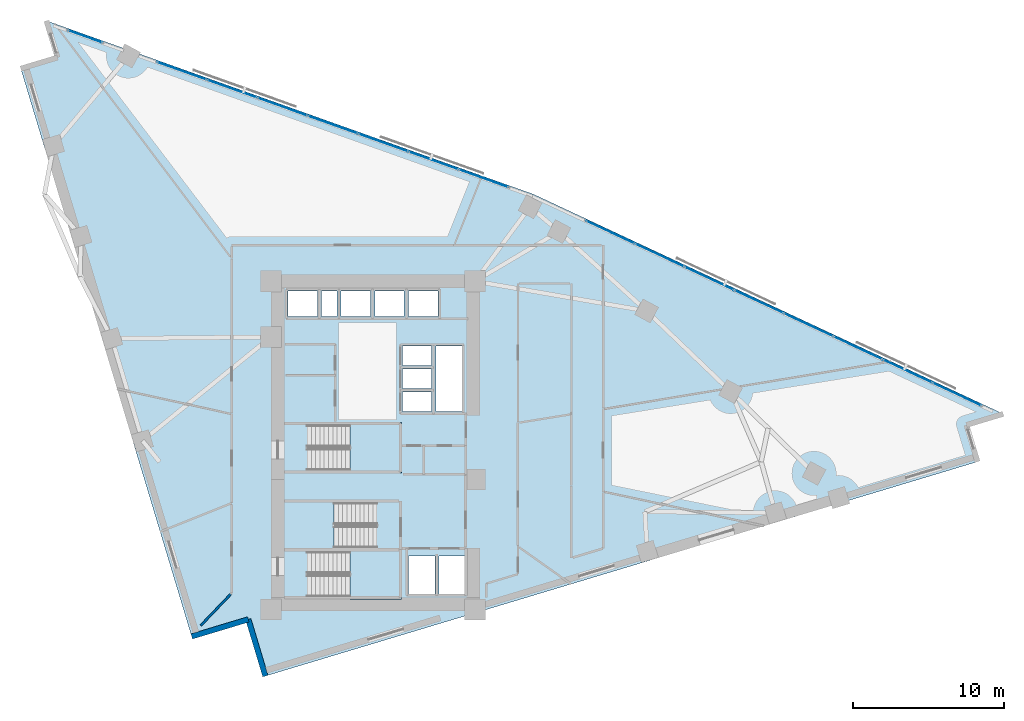
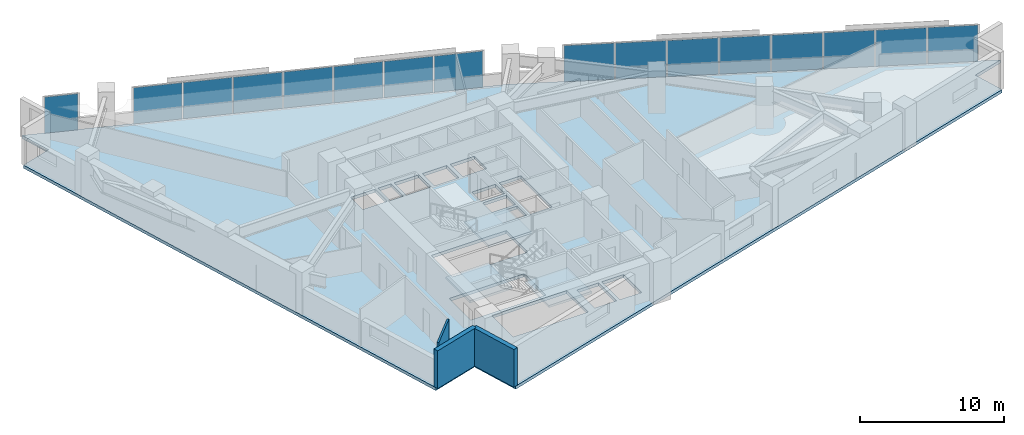
# One storey, part 8 of 14: 16 plates, 4 slabs, 3 walls, 6 elements without a shape of their own.
"""IFC4 building model written with IfcOpenShell, lengths in metres."""

from ifc_helpers import new_model, si_unit, direction, frame, frame_2d, origin, origin_2d, place, context, subcontext, project, spatial, polyline, rectangle, outline, extrude, material, layer, layer_set, type_object, element, aggregate, save


model = new_model("IFC4")

# Units and contexts
model_context = context("Model", 3, precision=1e-05, world=origin(), true_north=direction((0.0, 1.0)))
body_context = subcontext(model_context, "Body", "Model", "MODEL_VIEW")
ifc_project = project(units=[si_unit("LENGTHUNIT", "METRE"), si_unit("AREAUNIT", "SQUARE_METRE"), si_unit("VOLUMEUNIT", "CUBIC_METRE"), si_unit("PLANEANGLEUNIT", "RADIAN"), si_unit("MASSUNIT", "GRAM", prefix="KILO")], contexts=[model_context])

# Site, building, storey
site_placement = place(None, origin())
site = spatial("IfcSite", under=ifc_project, at=site_placement, CompositionType="ELEMENT")
building_placement = place(site_placement, origin())
building = spatial("IfcBuilding", under=site, at=building_placement, Name="Narakoshi Arena Tower", CompositionType="ELEMENT")
storey_placement = place(building_placement, frame((0.0, 0.0, 161.10009765625)))
storey = spatial("IfcBuildingStorey", under=building, at=storey_placement, Name="L43", CompositionType="ELEMENT", Elevation=161.10009765625)

# Curtain wall, plates
ifc_material_1 = material(Name="Anodised bronze aluminium 6063-T6", Category="aluminium")
curtain_wall_type = type_object("IfcCurtainWallType", Name="CW-HYP-MID", PredefinedType="NOTDEFINED", material=ifc_material_1)
curtain_wall_1_placement = place(storey_placement, origin())
curtain_wall_1 = element("IfcCurtainWall", 1, at=curtain_wall_1_placement, inside=storey, type_object=curtain_wall_type, Name="L43 Folded Hypotenuse Curtain Wall 1-1", PredefinedType="NOTDEFINED")
ifc_material_2 = material(Name="Bronze-tinted low-E laminated glass", Category="glass")
ifc_layer_1 = layer(ifc_material_2, 0.0380859375)
ifc_layer_set_1 = layer_set([ifc_layer_1], Name="Bronze-tinted low-E laminated glass")
plate_type = type_object("IfcPlateType", Name="PLT-GLZ-38", PredefinedType="CURTAIN_PANEL", material=ifc_layer_set_1)
plate_1_placement = place(storey_placement, frame((117.545166015625, 49.0, 0.06494140625), z_axis=(0.0, 0.0, 1.0), x_axis=(-0.905881273009, 0.423531721612, 0.0)))
plate_1 = element("IfcPlate", 2, at=plate_1_placement, type_object=plate_type, Name="CW-02 panel 1.1", PredefinedType="CURTAIN_PANEL", context=body_context, shape_type="SweptSolid", body=[
    extrude(rectangle(XDim=3.52099609375, YDim=0.0380859375, at=origin_2d()), origin(), (0.0, 0.0, 1.0), 3.070068359375),
])
plate_2_placement = place(storey_placement, frame((114.270751953125, 50.531005859375, 0.06494140625), z_axis=(0.0, 0.0, 1.0), x_axis=(-0.905881273009, 0.423531721612, 0.0)))
plate_2 = element("IfcPlate", 3, at=plate_2_placement, type_object=plate_type, Name="CW-02 panel 2.1", PredefinedType="CURTAIN_PANEL", context=body_context, shape_type="SweptSolid", body=[
    extrude(rectangle(XDim=3.558349609375, YDim=0.0380859375, at=origin_2d()), origin(), (0.0, 0.0, 1.0), 3.070068359375),
])
plate_3_placement = place(storey_placement, frame((110.979248046875, 52.06982421875, 0.06494140625), z_axis=(0.0, 0.0, 1.0), x_axis=(-0.905881273009, 0.423531721612, 0.0)))
plate_3 = element("IfcPlate", 4, at=plate_3_placement, type_object=plate_type, Name="CW-02 panel 3.1", PredefinedType="CURTAIN_PANEL", context=body_context, shape_type="SweptSolid", body=[
    extrude(rectangle(XDim=3.558349609375, YDim=0.0380859375, at=origin_2d()), origin(), (0.0, 0.0, 1.0), 3.070068359375),
])
plate_4_placement = place(storey_placement, frame((107.687744140625, 53.60888671875, 0.06494140625), z_axis=(0.0, 0.0, 1.0), x_axis=(-0.905881273009, 0.423531721612, 0.0)))
plate_4 = element("IfcPlate", 5, at=plate_4_placement, type_object=plate_type, Name="CW-02 panel 4.1", PredefinedType="CURTAIN_PANEL", context=body_context, shape_type="SweptSolid", body=[
    extrude(rectangle(XDim=3.558349609375, YDim=0.0380859375, at=origin_2d()), origin(), (0.0, 0.0, 1.0), 3.070068359375),
])
plate_5_placement = place(storey_placement, frame((104.396240234375, 55.147705078125, 0.06494140625), z_axis=(0.0, 0.0, 1.0), x_axis=(-0.905881273009, 0.423531721612, 0.0)))
plate_5 = element("IfcPlate", 6, at=plate_5_placement, type_object=plate_type, Name="CW-02 panel 5.1", PredefinedType="CURTAIN_PANEL", context=body_context, shape_type="SweptSolid", body=[
    extrude(rectangle(XDim=3.558349609375, YDim=0.0380859375, at=origin_2d()), origin(), (0.0, 0.0, 1.0), 3.070068359375),
])
plate_6_placement = place(storey_placement, frame((101.104736328125, 56.6865234375, 0.06494140625), z_axis=(0.0, 0.0, 1.0), x_axis=(-0.905881273009, 0.423531721612, 0.0)))
plate_6 = element("IfcPlate", 7, at=plate_6_placement, type_object=plate_type, Name="CW-02 panel 6.1", PredefinedType="CURTAIN_PANEL", context=body_context, shape_type="SweptSolid", body=[
    extrude(rectangle(XDim=3.558349609375, YDim=0.0380859375, at=origin_2d()), origin(), (0.0, 0.0, 1.0), 3.070068359375),
])
plate_7_placement = place(storey_placement, frame((97.813232421875, 58.2255859375, 0.06494140625), z_axis=(0.0, 0.0, 1.0), x_axis=(-0.905881273009, 0.423531721612, 0.0)))
plate_7 = element("IfcPlate", 8, at=plate_7_placement, type_object=plate_type, Name="CW-02 panel 7.1", PredefinedType="CURTAIN_PANEL", context=body_context, shape_type="SweptSolid", body=[
    extrude(rectangle(XDim=3.558349609375, YDim=0.0380859375, at=origin_2d()), origin(), (0.0, 0.0, 1.0), 3.070068359375),
])
plate_8_placement = place(storey_placement, frame((94.538818359375, 59.75634765625, 0.06494140625), z_axis=(0.0, 0.0, 1.0), x_axis=(-0.905881273009, 0.423531721612, 0.0)))
plate_8 = element("IfcPlate", 9, at=plate_8_placement, type_object=plate_type, Name="CW-02 panel 8.1", PredefinedType="CURTAIN_PANEL", context=body_context, shape_type="SweptSolid", body=[
    extrude(rectangle(XDim=3.52099609375, YDim=0.0380859375, at=origin_2d()), origin(), (0.0, 0.0, 1.0), 3.070068359375),
])
aggregate(curtain_wall_1, [plate_1, plate_2, plate_3, plate_4, plate_5, plate_6, plate_7, plate_8])

curtain_wall_2_placement = place(storey_placement, origin())
curtain_wall_2 = element("IfcCurtainWall", 10, at=curtain_wall_2_placement, inside=storey, type_object=curtain_wall_type, Name="L43 Folded Hypotenuse Curtain Wall 2-1", PredefinedType="NOTDEFINED")
plate_9_placement = place(storey_placement, frame((86.125244140625, 63.327880859375, 0.06494140625), z_axis=(0.0, 0.0, 1.0), x_axis=(-0.94203368957, 0.335518297139, 0.0)))
plate_9 = element("IfcPlate", 11, at=plate_9_placement, type_object=plate_type, Name="CW-02 panel 1.1", PredefinedType="CURTAIN_PANEL", context=body_context, shape_type="SweptSolid", body=[
    extrude(rectangle(XDim=3.437744140625, YDim=0.0380859375, at=origin_2d()), origin(), (0.0, 0.0, 1.0), 3.070068359375),
])
plate_10_placement = place(storey_placement, frame((82.79833984375, 64.512939453125, 0.06494140625), z_axis=(0.0, 0.0, 1.0), x_axis=(-0.94203368957, 0.335518297139, 0.0)))
plate_10 = element("IfcPlate", 12, at=plate_10_placement, type_object=plate_type, Name="CW-02 panel 2.1", PredefinedType="CURTAIN_PANEL", context=body_context, shape_type="SweptSolid", body=[
    extrude(rectangle(XDim=3.475341796875, YDim=0.0380859375, at=origin_2d()), origin(), (0.0, 0.0, 1.0), 3.070068359375),
])
plate_11_placement = place(storey_placement, frame((79.453857421875, 65.7041015625, 0.06494140625), z_axis=(0.0, 0.0, 1.0), x_axis=(-0.94203368957, 0.335518297139, 0.0)))
plate_11 = element("IfcPlate", 13, at=plate_11_placement, type_object=plate_type, Name="CW-02 panel 3.1", PredefinedType="CURTAIN_PANEL", context=body_context, shape_type="SweptSolid", body=[
    extrude(rectangle(XDim=3.475341796875, YDim=0.0380859375, at=origin_2d()), origin(), (0.0, 0.0, 1.0), 3.070068359375),
])
plate_12_placement = place(storey_placement, frame((76.109130859375, 66.895263671875, 0.06494140625), z_axis=(0.0, 0.0, 1.0), x_axis=(-0.94203368957, 0.335518297139, 0.0)))
plate_12 = element("IfcPlate", 14, at=plate_12_placement, type_object=plate_type, Name="CW-02 panel 4.1", PredefinedType="CURTAIN_PANEL", context=body_context, shape_type="SweptSolid", body=[
    extrude(rectangle(XDim=3.475341796875, YDim=0.0380859375, at=origin_2d()), origin(), (0.0, 0.0, 1.0), 3.070068359375),
])
plate_13_placement = place(storey_placement, frame((72.7646484375, 68.08642578125, 0.06494140625), z_axis=(0.0, 0.0, 1.0), x_axis=(-0.94203368957, 0.335518297139, 0.0)))
plate_13 = element("IfcPlate", 15, at=plate_13_placement, type_object=plate_type, Name="CW-02 panel 5.1", PredefinedType="CURTAIN_PANEL", context=body_context, shape_type="SweptSolid", body=[
    extrude(rectangle(XDim=3.475341796875, YDim=0.0380859375, at=origin_2d()), origin(), (0.0, 0.0, 1.0), 3.070068359375),
])
plate_14_placement = place(storey_placement, frame((69.420166015625, 69.277587890625, 0.06494140625), z_axis=(0.0, 0.0, 1.0), x_axis=(-0.94203368957, 0.335518297139, 0.0)))
plate_14 = element("IfcPlate", 16, at=plate_14_placement, type_object=plate_type, Name="CW-02 panel 6.1", PredefinedType="CURTAIN_PANEL", context=body_context, shape_type="SweptSolid", body=[
    extrude(rectangle(XDim=3.475341796875, YDim=0.0380859375, at=origin_2d()), origin(), (0.0, 0.0, 1.0), 3.070068359375),
])
plate_15_placement = place(storey_placement, frame((66.09326171875, 70.462646484375, 0.06494140625), z_axis=(0.0, 0.0, 1.0), x_axis=(-0.94203368957, 0.335518297139, 0.0)))
plate_15 = element("IfcPlate", 17, at=plate_15_placement, type_object=plate_type, Name="CW-02 panel 7.1", PredefinedType="CURTAIN_PANEL", context=body_context, shape_type="SweptSolid", body=[
    extrude(rectangle(XDim=3.437744140625, YDim=0.0380859375, at=origin_2d()), origin(), (0.0, 0.0, 1.0), 3.070068359375),
])
aggregate(curtain_wall_2, [plate_9, plate_10, plate_11, plate_12, plate_13, plate_14, plate_15])

# Curtain wall, plate
curtain_wall_3_placement = place(storey_placement, origin())
curtain_wall_3 = element("IfcCurtainWall", 18, at=curtain_wall_3_placement, inside=storey, type_object=curtain_wall_type, Name="L43 Folded Hypotenuse Curtain Wall 2-2", PredefinedType="NOTDEFINED")
plate_16_placement = place(storey_placement, frame((59.671142578125, 72.75, 0.06494140625), z_axis=(0.0, 0.0, 1.0), x_axis=(-0.942025293591, 0.335541869571, 0.0)))
plate_16 = element("IfcPlate", 19, at=plate_16_placement, type_object=plate_type, Name="CW-02 panel 1.1", PredefinedType="CURTAIN_PANEL", context=body_context, shape_type="SweptSolid", body=[
    extrude(rectangle(XDim=2.3779296875, YDim=0.0380859375, at=origin_2d()), origin(), (0.0, 0.0, 1.0), 3.070068359375),
])
aggregate(curtain_wall_3, [plate_16])

# Stair, slab
ifc_material_3 = material(Name="Concrete C45/55", Category="concrete")
stair_type = type_object("IfcStairType", Name="STR-CORE-360", PredefinedType="TWO_STRAIGHT_RUN_STAIR", material=ifc_material_3)
stair_1_placement = place(storey_placement, origin())
stair_1 = element("IfcStair", 20, at=stair_1_placement, inside=storey, type_object=stair_type, Name="L43 Core Escape Stair ST1", PredefinedType="TWO_STRAIGHT_RUN_STAIR")
ifc_layer_2 = layer(ifc_material_3, 0.18994140625)
ifc_layer_set_2 = layer_set([ifc_layer_2], Name="Concrete C45/55")
slab_type_1 = type_object("IfcSlabType", Name="SLB-LND-190", PredefinedType="LANDING", material=ifc_layer_set_2)
slab_1_placement = place(storey_placement, frame((0.0, 0.0, 1.60986328125)))
slab_1 = element("IfcSlab", 21, at=slab_1_placement, type_object=slab_type_1, Name="ST1 landing 1", PredefinedType="LANDING", context=body_context, shape_type="SweptSolid", body=[
    extrude(outline(polyline([(77.25, 35.3701171875), (80.679931640625, 35.3701171875), (80.679931640625, 38.72998046875), (77.25, 38.72998046875), (77.25, 35.3701171875)])), origin(), (0.0, 0.0, 1.0), 0.18994140625),
])
aggregate(stair_1, [slab_1])

stair_2_placement = place(storey_placement, origin())
stair_2 = element("IfcStair", 22, at=stair_2_placement, inside=storey, type_object=stair_type, Name="L43 Core Escape Stair ST2", PredefinedType="TWO_STRAIGHT_RUN_STAIR")
slab_2_placement = place(storey_placement, frame((0.0, 0.0, 1.60986328125)))
slab_2 = element("IfcSlab", 23, at=slab_2_placement, type_object=slab_type_1, Name="ST2 landing 1", PredefinedType="LANDING", context=body_context, shape_type="SweptSolid", body=[
    extrude(outline(polyline([(72.77001953125, 38.6201171875), (76.199951171875, 38.6201171875), (76.199951171875, 41.97998046875), (72.77001953125, 41.97998046875), (72.77001953125, 38.6201171875)])), origin(), (0.0, 0.0, 1.0), 0.18994140625),
])
aggregate(stair_2, [slab_2])

stair_3_placement = place(storey_placement, origin())
stair_3 = element("IfcStair", 24, at=stair_3_placement, inside=storey, type_object=stair_type, Name="L43 Core Escape Stair ST3", PredefinedType="TWO_STRAIGHT_RUN_STAIR")
slab_3_placement = place(storey_placement, frame((0.0, 0.0, 1.60986328125)))
slab_3 = element("IfcSlab", 25, at=slab_3_placement, type_object=slab_type_1, Name="ST3 landing 1", PredefinedType="LANDING", context=body_context, shape_type="SweptSolid", body=[
    extrude(outline(polyline([(77.25, 43.77001953125), (80.679931640625, 43.77001953125), (80.679931640625, 47.1298828125), (77.25, 47.1298828125), (77.25, 43.77001953125)])), origin(), (0.0, 0.0, 1.0), 0.18994140625),
])
aggregate(stair_3, [slab_3])

# Slab
ifc_material_4 = material(Name="Concrete C50/60", Category="concrete")
ifc_layer_3 = layer(ifc_material_4, 0.260009765625)
ifc_layer_set_3 = layer_set([ifc_layer_3], Name="Concrete C50/60")
slab_type_2 = type_object("IfcSlabType", Name="SLB-SKY-260", PredefinedType="FLOOR", material=ifc_layer_set_3)
slab_4_placement = place(storey_placement, frame((0.0, 0.0, -0.260009765625)))
element("IfcSlab", 26, at=slab_4_placement, inside=storey, type_object=slab_type_2, Name="L43 Structural Floor Slab", PredefinedType="FLOOR", context=body_context, shape_type="SweptSolid", body=[
    extrude(outline(polyline([(71.635498046875, 30.28857421875), (118.908935546875, 44.51611328125), (118.17333984375, 46.96044921875), (120.61767578125, 47.696044921875), (89.422119140625, 62.281005859375), (57.107666015625, 73.790283203125), (57.84326171875, 71.34619140625), (55.39892578125, 70.610595703125), (66.743408203125, 32.917236328125), (70.50390625, 34.048828125), (71.635498046875, 30.28857421875)]), holes=[polyline([(80.5, 35.550048828125), (74.47998046875, 35.550048828125), (74.47998046875, 38.550048828125), (80.5, 38.550048828125), (80.5, 35.550048828125)]), polyline([(82.89990234375, 35.75), (81.14990234375, 35.75), (81.14990234375, 38.25), (82.89990234375, 38.25), (82.89990234375, 35.75)]), polyline([(83.14990234375, 35.75), (83.14990234375, 38.25), (84.89990234375, 38.25), (84.89990234375, 35.75), (83.14990234375, 35.75)]), polyline([(72.949951171875, 38.800048828125), (72.949951171875, 41.800048828125), (78.969970703125, 41.800048828125), (78.969970703125, 38.800048828125), (72.949951171875, 38.800048828125)]), polyline([(74.47998046875, 43.949951171875), (74.47998046875, 46.949951171875), (80.5, 46.949951171875), (80.5, 43.949951171875), (74.47998046875, 43.949951171875)]), polyline([(82.949951171875, 47.840087890625), (82.949951171875, 52.199951171875), (84.699951171875, 52.199951171875), (84.699951171875, 47.840087890625), (82.949951171875, 47.840087890625)]), polyline([(80.75, 47.85009765625), (80.75, 49.14990234375), (82.64990234375, 49.14990234375), (82.64990234375, 47.85009765625), (80.75, 47.85009765625)]), polyline([(80.75, 49.3701171875), (80.75, 50.669921875), (82.64990234375, 50.669921875), (82.64990234375, 49.3701171875), (80.75, 49.3701171875)]), polyline([(80.75, 50.889892578125), (80.75, 52.18994140625), (82.64990234375, 52.18994140625), (82.64990234375, 50.889892578125), (80.75, 50.889892578125)]), polyline([(73.14990234375, 54.14990234375), (73.14990234375, 55.85009765625), (75.10009765625, 55.85009765625), (75.10009765625, 54.14990234375), (73.14990234375, 54.14990234375)]), polyline([(75.35009765625, 54.14990234375), (75.35009765625, 55.85009765625), (76.39990234375, 55.85009765625), (76.39990234375, 54.14990234375), (75.35009765625, 54.14990234375)]), polyline([(76.64990234375, 54.14990234375), (76.64990234375, 55.85009765625), (78.60009765625, 55.85009765625), (78.60009765625, 54.14990234375), (76.64990234375, 54.14990234375)]), polyline([(78.89990234375, 54.14990234375), (78.89990234375, 55.85009765625), (80.85009765625, 55.85009765625), (80.85009765625, 54.14990234375), (78.89990234375, 54.14990234375)]), polyline([(81.14990234375, 54.14990234375), (81.14990234375, 55.85009765625), (83.10009765625, 55.85009765625), (83.10009765625, 54.14990234375), (81.14990234375, 54.14990234375)])]), origin(), (0.0, 0.0, 1.0), 0.260009765625),
])

# Walls
ifc_material_5 = material(Name="Precast concrete C45/55", Category="concrete")
ifc_layer_4 = layer(ifc_material_5, 0.419921875)
ifc_layer_set_4 = layer_set([ifc_layer_4], Name="Precast concrete C45/55")
wall_type_1 = type_object("IfcWallType", Name="WL-POD-420", PredefinedType="SOLIDWALL", material=ifc_layer_set_4)
wall_1_placement = place(storey_placement, frame((66.743408203125, 32.917236328125, 0.0), z_axis=(0.0, 0.0, 1.0), x_axis=(0.957584687378, 0.288151985068, 0.0)))
element("IfcWall", 27, at=wall_1_placement, inside=storey, type_object=wall_type_1, Name="L43 Re-Entrant Corner Notch Wall NTA-1", PredefinedType="SOLIDWALL", context=body_context, shape_type="SweptSolid", body=[
    extrude(rectangle(XDim=3.927001953125, YDim=0.360107421875, at=frame_2d((1.96337890625, 0.0))), origin(), (0.0, 0.0, 1.0), 3.199951171875),
])
wall_2_placement = place(storey_placement, frame((70.50390625, 34.048828125, 0.0), z_axis=(0.0, 0.0, 1.0), x_axis=(0.288169140251, -0.957579524952, 0.0)))
element("IfcWall", 28, at=wall_2_placement, inside=storey, type_object=wall_type_1, Name="L43 Re-Entrant Corner Notch Wall NTA-2", PredefinedType="SOLIDWALL", context=body_context, shape_type="SweptSolid", body=[
    extrude(rectangle(XDim=3.9267578125, YDim=0.360107421875, at=frame_2d((1.96337890625, 0.0))), origin(), (0.0, 0.0, 1.0), 3.199951171875),
])
ifc_material_6 = material(Name="Moisture-resistant cement-board partition")
ifc_layer_5 = layer(ifc_material_6, 0.14501953125)
ifc_layer_set_5 = layer_set([ifc_layer_5], Name="Moisture-resistant cement-board partition")
wall_type_2 = type_object("IfcWallType", Name="WL-WET-145", PredefinedType="PARTITIONING", material=ifc_layer_set_5)
wall_3_placement = place(storey_placement, frame((69.340087890625, 35.73046875, 0.0), z_axis=(0.0, 0.0, 1.0), x_axis=(-0.691320370343, -0.722548369003, 0.0)))
element("IfcWall", 29, at=wall_3_placement, inside=storey, type_object=wall_type_2, Name="L43 Room Enclosure Partition 02-1", PredefinedType="PARTITIONING", context=body_context, shape_type="SweptSolid", body=[
    extrude(rectangle(XDim=2.892578125, YDim=0.14501953125, at=frame_2d((1.4462890625, 0.0))), origin(), (0.0, 0.0, 1.0), 3.199951171875),
])

save(model, "model.ifc")
